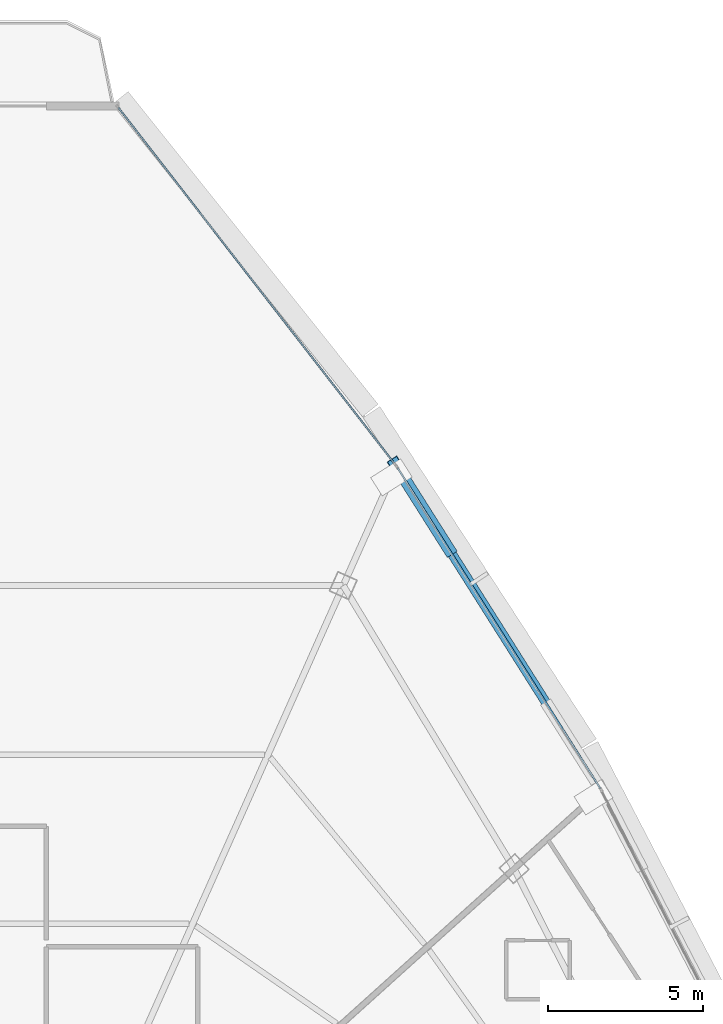
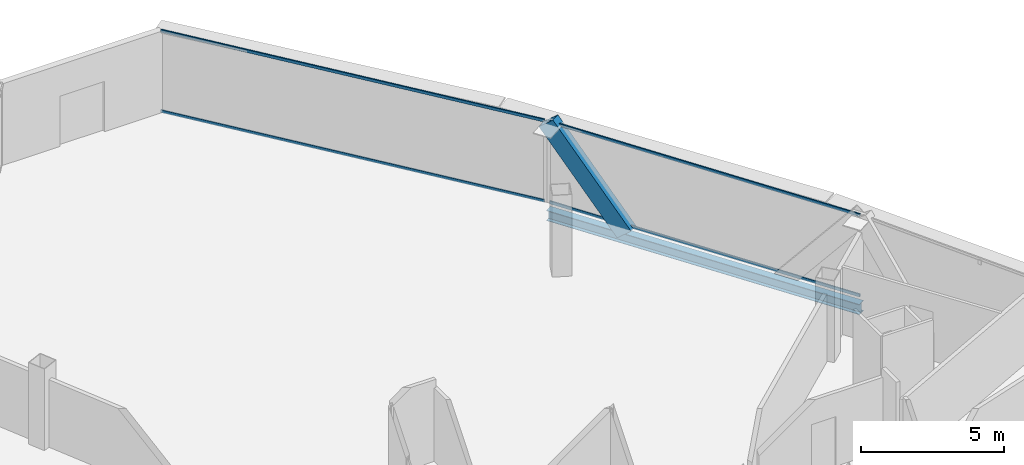
# One storey, part 24 of 34: 5 members, 1 beam, 2 elements without a shape of their own.
"""IFC4 building model written with IfcOpenShell, lengths in metres."""

from ifc_helpers import new_model, si_unit, direction, frame, origin, origin_2d, place, context, subcontext, project, spatial, hollow_rectangle, i_section, extrude, source, transform, mapped, material, layer, layer_set, material_profile, profile_set, type_object, element, aggregate, save


model = new_model("IFC4")

# Units and contexts
model_context = context("Model", 3, precision=1e-05, world=origin(), true_north=direction((0.0, 1.0)))
body_context = subcontext(model_context, "Body", "Model", "MODEL_VIEW")
ifc_project = project(units=[si_unit("LENGTHUNIT", "METRE"), si_unit("AREAUNIT", "SQUARE_METRE"), si_unit("VOLUMEUNIT", "CUBIC_METRE"), si_unit("PLANEANGLEUNIT", "RADIAN"), si_unit("MASSUNIT", "GRAM", prefix="KILO"), si_unit("THERMODYNAMICTEMPERATUREUNIT", "KELVIN"), si_unit("POWERUNIT", "WATT")], contexts=[model_context])

# Site, building, storey
site_placement = place(None, origin())
site = spatial("IfcSite", under=ifc_project, at=site_placement, CompositionType="ELEMENT")
building_placement = place(site_placement, origin())
building = spatial("IfcBuilding", under=site, at=building_placement, Name="Yunzhuo Pagoda Commons", CompositionType="ELEMENT")
storey_placement = place(building_placement, frame((0.0, 0.0, 333.010009765625)))
storey = spatial("IfcBuildingStorey", under=building, at=storey_placement, Name="L83", CompositionType="ELEMENT", Elevation=333.010009765625)

# Beam
ifc_material_1 = material(Name="Structural steel Q355B", Category="steel")
ifc_material_profile_1 = material_profile(ifc_material_1, i_section(OverallWidth=0.300048828125, OverallDepth=0.43994140625, WebThickness=0.010986328125, FlangeThickness=0.01806640625, at=origin_2d()), Name="Structural steel Q355B")
ifc_profile_set_1 = profile_set([ifc_material_profile_1], Name="Structural steel Q355B")
beam_type = type_object("IfcBeamType", Name="B-SP2 Beam HM 440x300x11x18", PredefinedType="BEAM", material=ifc_profile_set_1)
shared_shape_1 = source(origin(), body_context, "Body", "SweptSolid", [
    extrude(i_section(OverallWidth=0.300048828125, OverallDepth=0.43994140625, WebThickness=0.010986328125, FlangeThickness=0.01806640625, at=origin_2d()), origin(), (0.0, 0.0, 1.0), 12.39501953125),
])
beam_placement = place(storey_placement, frame((66.84375, 50.6669921875, -0.47998046875), z_axis=(-0.534530897575, 0.845148933347, 0.0), x_axis=(-0.845148933347, -0.534530897575, 0.0)))
element("IfcBeam", 1, at=beam_placement, inside=storey, type_object=beam_type, Name="L83 facade edge spandrel beam F2.3", PredefinedType="BEAM", context=body_context, shape_type="MappedRepresentation", body=[
    mapped(shared_shape_1, transform((0.0, 0.0, 0.0), scale=1.0)),
])

# Member
ifc_material_profile_2 = material_profile(ifc_material_1, hollow_rectangle(XDim=0.3798828125, YDim=0.719970703125, WallThickness=0.02001953125, at=origin_2d()), Name="Structural steel Q355B")
ifc_profile_set_2 = profile_set([ifc_material_profile_2], Name="Structural steel Q355B")
member_type_1 = type_object("IfcMemberType", Name="M-DL3 Brace BOX 720x380x20", PredefinedType="BRACE", material=ifc_profile_set_2)
shared_shape_2 = source(origin(), body_context, "Body", "SweptSolid", [
    extrude(hollow_rectangle(XDim=0.3798828125, YDim=0.719970703125, WallThickness=0.02001953125, at=origin_2d()), origin(), (0.0, 0.0, 1.0), 4.864501953125),
])
member_1_placement = place(storey_placement, frame((61.87451171875, 58.523681640625, -0.260009765625), z_axis=(-0.340470287442, 0.538358604568, 0.77087612251), x_axis=(-0.845166729607, -0.534502758801, 0.0)))
element("IfcMember", 2, at=member_1_placement, inside=storey, type_object=member_type_1, Name="L83 facade diamond brace F2.3R", PredefinedType="BRACE", context=body_context, shape_type="MappedRepresentation", body=[
    mapped(shared_shape_2, transform((0.0, 0.0, 0.0), scale=1.0)),
])

# Curtain wall, members
ifc_material_2 = material(Name="Anodized aluminium 6063-T6", Category="aluminium")
ifc_layer = layer(ifc_material_2, 0.139892578125)
ifc_layer_set = layer_set([ifc_layer], Name="Anodized aluminium 6063-T6")
curtain_wall_type = type_object("IfcCurtainWallType", Name="CW-HI High-Zone Ribbon Curtain Wall", PredefinedType="NOTDEFINED", material=ifc_layer_set)
curtain_wall_1_placement = place(storey_placement, origin())
curtain_wall_1 = element("IfcCurtainWall", 3, at=curtain_wall_1_placement, inside=storey, type_object=curtain_wall_type, Name="L83 curtain wall CW-L83-F2B4", PredefinedType="NOTDEFINED")
ifc_material_profile_3 = material_profile(ifc_material_2, hollow_rectangle(XDim=0.054931640625, YDim=0.1201171875, WallThickness=0.00341796875, at=origin_2d()), Name="Anodized aluminium 6063-T6")
ifc_profile_set_3 = profile_set([ifc_material_profile_3], Name="Anodized aluminium 6063-T6")
member_type_2 = type_object("IfcMemberType", Name="CW-HI-T Transom RHS 120x55x3.5", PredefinedType="USERDEFINED", material=ifc_profile_set_3)
shared_shape_3 = source(origin(), body_context, "Body", "SweptSolid", [
    extrude(hollow_rectangle(XDim=0.054931640625, YDim=0.1201171875, WallThickness=0.00341796875, at=origin_2d()), origin(), (0.0, 0.0, 1.0), 12.27490234375),
])
member_2_placement = place(storey_placement, frame((66.8115234375, 50.7177734375, 0.027587890625), z_axis=(-0.53453242194, 0.845147969231, 0.0), x_axis=(-0.845147969231, -0.53453242194, 0.0)))
member_2 = element("IfcMember", 4, at=member_2_placement, type_object=member_type_2, Name="CW transom 1.1", ObjectType="TRANSOM", PredefinedType="USERDEFINED", context=body_context, shape_type="MappedRepresentation", body=[
    mapped(shared_shape_3, transform((0.0, 0.0, 0.0), scale=1.0)),
])
member_3_placement = place(storey_placement, frame((66.8115234375, 50.7177734375, 3.46240234375), z_axis=(-0.53453242194, 0.845147969231, 0.0), x_axis=(-0.845147969231, -0.53453242194, 0.0)))
member_3 = element("IfcMember", 5, at=member_3_placement, type_object=member_type_2, Name="CW transom 1.2", ObjectType="TRANSOM", PredefinedType="USERDEFINED", context=body_context, shape_type="MappedRepresentation", body=[
    mapped(shared_shape_3, transform((0.0, 0.0, 0.0), scale=1.0)),
])
aggregate(curtain_wall_1, [member_2, member_3])

curtain_wall_2_placement = place(storey_placement, origin())
curtain_wall_2 = element("IfcCurtainWall", 6, at=curtain_wall_2_placement, inside=storey, type_object=curtain_wall_type, Name="L83 curtain wall CW-L83-F2B5", PredefinedType="NOTDEFINED")
shared_shape_4 = source(origin(), body_context, "Body", "SweptSolid", [
    extrude(hollow_rectangle(XDim=0.054931640625, YDim=0.1201171875, WallThickness=0.00341796875, at=origin_2d()), origin(), (0.0, 0.0, 1.0), 14.537353515625),
])
member_4_placement = place(storey_placement, frame((60.135498046875, 61.249267578125, 0.027587890625), z_axis=(-0.612918112301, 0.790146434285, 0.0), x_axis=(-0.790146434285, -0.612918112301, 0.0)))
member_4 = element("IfcMember", 7, at=member_4_placement, type_object=member_type_2, Name="CW transom 1.1", ObjectType="TRANSOM", PredefinedType="USERDEFINED", context=body_context, shape_type="MappedRepresentation", body=[
    mapped(shared_shape_4, transform((0.0, 0.0, 0.0), scale=1.0)),
])
member_5_placement = place(storey_placement, frame((60.135498046875, 61.249267578125, 3.46240234375), z_axis=(-0.612918112301, 0.790146434285, 0.0), x_axis=(-0.790146434285, -0.612918112301, 0.0)))
member_5 = element("IfcMember", 8, at=member_5_placement, type_object=member_type_2, Name="CW transom 1.2", ObjectType="TRANSOM", PredefinedType="USERDEFINED", context=body_context, shape_type="MappedRepresentation", body=[
    mapped(shared_shape_4, transform((0.0, 0.0, 0.0), scale=1.0)),
])
aggregate(curtain_wall_2, [member_4, member_5])

save(model, "model.ifc")
